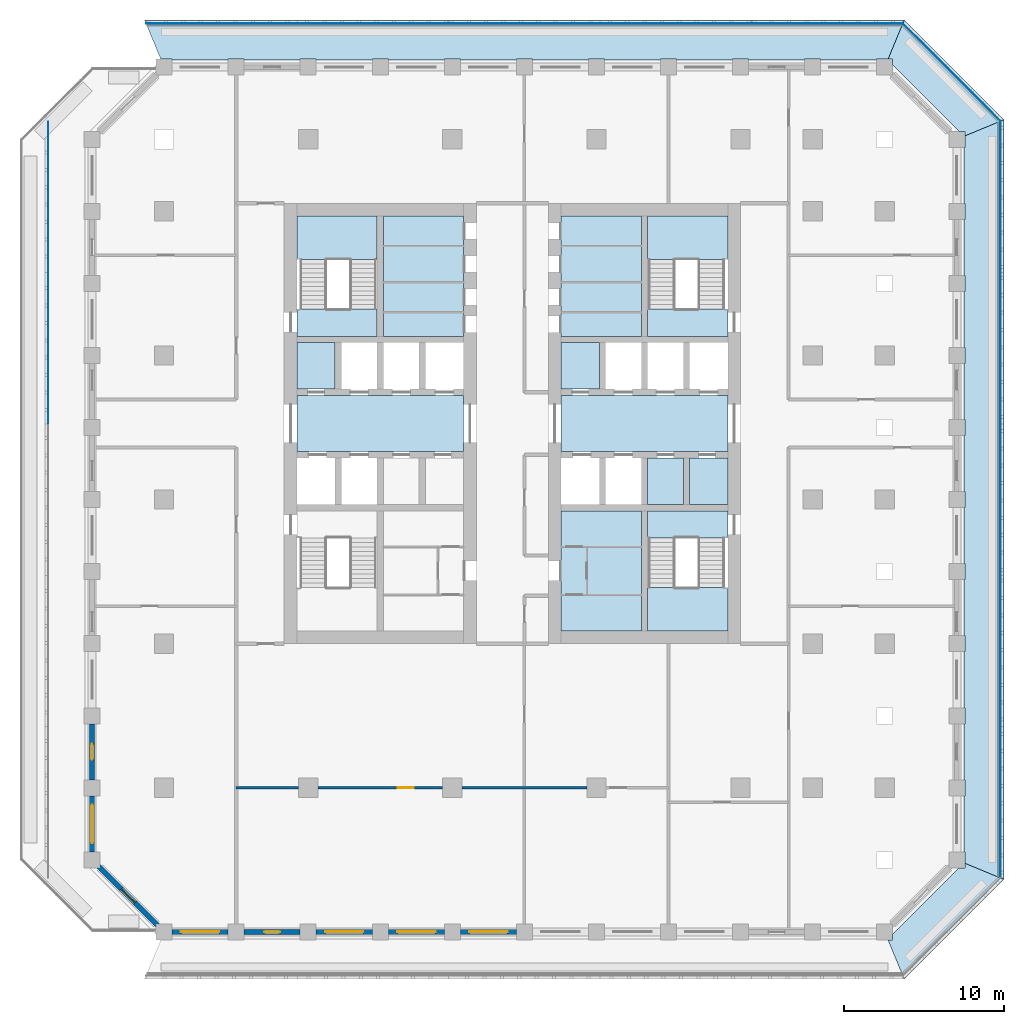
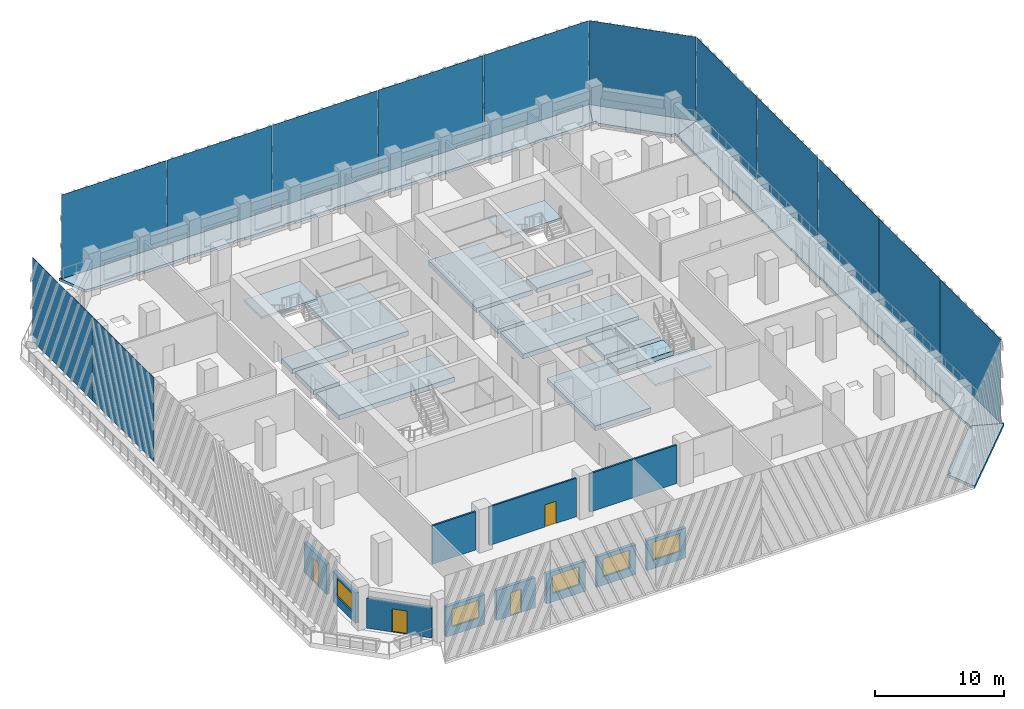
# One storey, part 2 of 16: 19 slabs, 13 plates, 11 walls, 5 windows, 4 doors, 9 openings, 3 elements without a shape of their own.
"""IFC4 building model written with IfcOpenShell, lengths in metres."""

from ifc_helpers import new_model, si_unit, direction, frame, frame_2d, origin, origin_2d, place, context, subcontext, project, spatial, polyline, rectangle, outline, extrude, material, layer, layer_set, type_object, element, fill, aggregate, save


model = new_model("IFC4")

# Units and contexts
model_context = context("Model", 3, precision=1e-05, world=origin(), true_north=direction((0.0, 1.0)))
body_context = subcontext(model_context, "Body", "Model", "MODEL_VIEW")
ifc_project = project(units=[si_unit("LENGTHUNIT", "METRE"), si_unit("AREAUNIT", "SQUARE_METRE"), si_unit("VOLUMEUNIT", "CUBIC_METRE"), si_unit("PLANEANGLEUNIT", "RADIAN"), si_unit("MASSUNIT", "GRAM", prefix="KILO")], contexts=[model_context])

# Site, building, storey
site_placement = place(None, origin())
site = spatial("IfcSite", under=ifc_project, at=site_placement, CompositionType="ELEMENT")
building_placement = place(site_placement, origin())
building = spatial("IfcBuilding", under=site, at=building_placement, Name="Corbel Stack Research Tower", CompositionType="ELEMENT")
storey_placement = place(building_placement, frame((0.0, 0.0, 191.5)))
storey = spatial("IfcBuildingStorey", under=building, at=storey_placement, Name="L43", CompositionType="ELEMENT", Elevation=191.5)

# Plates
ifc_material_1 = material(Name="Fritted glass", Category="glass")
ifc_layer_1 = layer(ifc_material_1, 0.02490234375)
ifc_layer_set_1 = layer_set([ifc_layer_1], Name="Fritted glass")
plate_type = type_object("IfcPlateType", Name="Fritted glass panel 25", PredefinedType="SHEET", material=ifc_layer_set_1)
for number, where, z_axis, x_axis, name in (
    (1, (34.237548828125, -18.911376953125, 0.0), (0.0, 0.0, 1.0), (0.0, 1.0, 0.0), "Fritted glass L43 E1"),
    (2, (34.237548828125, -9.45556640625, 0.0), (0.0, 0.0, 1.0), (0.0, 1.0, 0.0), "Fritted glass L43 E2"),
    (3, (34.237548828125, 0.0, 0.0), (0.0, 0.0, 1.0), (0.0, 1.0, 0.0), "Fritted glass L43 E3"),
    (4, (34.237548828125, 9.45556640625, 0.0), (0.0, 0.0, 1.0), (0.0, 1.0, 0.0), "Fritted glass L43 E4"),
    (5, (34.237548828125, 18.911376953125, 0.0), (0.0, 0.0, 1.0), (0.0, 1.0, 0.0), "Fritted glass L43 E5"),
):
    element("IfcPlate", number, at=place(storey_placement, frame(where, z_axis=z_axis, x_axis=x_axis)), inside=storey, type_object=plate_type, Name=name, PredefinedType="SHEET", context=body_context, shape_type="SweptSolid", body=[
        extrude(rectangle(XDim=9.3955078125, YDim=0.02490234375, at=origin_2d()), origin(), (0.0, 0.0, 1.0), 7.949951171875),
    ])
plate_placement = place(storey_placement, frame((31.185791015625, 26.685791015625, 0.0), z_axis=(0.0, 0.0, 1.0), x_axis=(-0.707106781187, 0.707106781187, 0.0)))
element("IfcPlate", 6, at=plate_placement, inside=storey, type_object=plate_type, Name="Fritted glass L43 NE1", PredefinedType="SHEET", context=body_context, shape_type="SweptSolid", body=[
    extrude(rectangle(XDim=8.58203125, YDim=0.02490234375, at=origin_2d()), origin(), (0.0, 0.0, 1.0), 7.949951171875),
])
for number, where, z_axis, x_axis, name in (
    (7, (23.411376953125, 29.737548828125, 0.0), (0.0, 0.0, 1.0), (-1.0, 0.0, 0.0), "Fritted glass L43 N1"),
    (8, (13.95556640625, 29.737548828125, 0.0), (0.0, 0.0, 1.0), (-1.0, 0.0, 0.0), "Fritted glass L43 N2"),
    (9, (4.5, 29.737548828125, 0.0), (0.0, 0.0, 1.0), (-1.0, 0.0, 0.0), "Fritted glass L43 N3"),
    (10, (-4.95556640625, 29.737548828125, 0.0), (0.0, 0.0, 1.0), (-1.0, 0.0, 0.0), "Fritted glass L43 N4"),
    (11, (-14.411376953125, 29.737548828125, 0.0), (0.0, 0.0, 1.0), (-1.0, 0.0, 0.0), "Fritted glass L43 N5"),
    (12, (-25.237548828125, 18.911376953125, 0.0), (0.0, 0.0, 1.0), (0.0, -1.0, 0.0), "Fritted glass L43 W1"),
    (13, (-25.237548828125, 9.45556640625, 0.0), (0.0, 0.0, 1.0), (0.0, -1.0, 0.0), "Fritted glass L43 W2"),
):
    element("IfcPlate", number, at=place(storey_placement, frame(where, z_axis=z_axis, x_axis=x_axis)), inside=storey, type_object=plate_type, Name=name, PredefinedType="SHEET", context=body_context, shape_type="SweptSolid", body=[
        extrude(rectangle(XDim=9.3955078125, YDim=0.02490234375, at=origin_2d()), origin(), (0.0, 0.0, 1.0), 7.949951171875),
    ])

# Slabs
ifc_material_2 = material(Name="Concrete C45/55", Category="concrete")
ifc_layer_2 = layer(ifc_material_2, 0.25)
ifc_layer_set_2 = layer_set([ifc_layer_2], Name="Concrete C45/55")
slab_type_1 = type_object("IfcSlabType", Name="PT balcony slab 250 C45/55", PredefinedType="FLOOR", material=ifc_layer_set_2)
slab_1_placement = place(storey_placement, frame((0.0, 0.0, -0.25)))
element("IfcSlab", 14, at=slab_1_placement, inside=storey, type_object=slab_type_1, Name="Loggia slab L43 SE", PredefinedType="FLOOR", context=body_context, shape_type="SweptSolid", body=[
    extrude(outline(polyline([(32.0, -22.70703125), (32.0, -23.0), (31.636474609375, -23.0), (27.5, -27.136474609375), (27.5, -27.5), (27.20703125, -27.5), (28.221923828125, -29.949951171875), (34.449951171875, -23.721923828125), (32.0, -22.70703125)])), origin(), (0.0, 0.0, 1.0), 0.25),
])
slab_2_placement = place(storey_placement, frame((0.0, 0.0, -0.25)))
element("IfcSlab", 15, at=slab_2_placement, inside=storey, type_object=slab_type_1, Name="Loggia slab L43 E", PredefinedType="FLOOR", context=body_context, shape_type="SweptSolid", body=[
    extrude(outline(polyline([(32.0, 22.70703125), (32.0, 22.0), (31.949951171875, 22.0), (31.949951171875, 18.5), (32.0, 18.5), (32.0, 17.5), (31.949951171875, 17.5), (31.949951171875, 14.0), (32.0, 14.0), (32.0, 13.0), (31.949951171875, 13.0), (31.949951171875, 9.5), (32.0, 9.5), (32.0, 8.5), (31.949951171875, 8.5), (31.949951171875, 5.0), (32.0, 5.0), (32.0, 4.0), (31.949951171875, 4.0), (31.949951171875, 0.5), (32.0, 0.5), (32.0, -0.5), (31.949951171875, -0.5), (31.949951171875, -4.0), (32.0, -4.0), (32.0, -5.0), (31.949951171875, -5.0), (31.949951171875, -8.5), (32.0, -8.5), (32.0, -9.5), (31.949951171875, -9.5), (31.949951171875, -13.0), (32.0, -13.0), (32.0, -14.0), (31.949951171875, -14.0), (31.949951171875, -17.5), (32.0, -17.5), (32.0, -18.5), (31.949951171875, -18.5), (31.949951171875, -22.0), (32.0, -22.0), (32.0, -22.70703125), (34.449951171875, -23.721923828125), (34.449951171875, 23.721923828125), (32.0, 22.70703125)])), origin(), (0.0, 0.0, 1.0), 0.25),
])
slab_3_placement = place(storey_placement, frame((0.0, 0.0, -0.25)))
element("IfcSlab", 16, at=slab_3_placement, inside=storey, type_object=slab_type_1, Name="Loggia slab L43 NE", PredefinedType="FLOOR", context=body_context, shape_type="SweptSolid", body=[
    extrude(outline(polyline([(27.20703125, 27.5), (27.5, 27.5), (27.5, 27.136474609375), (31.636474609375, 23.0), (32.0, 23.0), (32.0, 22.70703125), (34.449951171875, 23.721923828125), (28.221923828125, 29.949951171875), (27.20703125, 27.5)])), origin(), (0.0, 0.0, 1.0), 0.25),
])
slab_4_placement = place(storey_placement, frame((0.0, 0.0, -0.25)))
element("IfcSlab", 17, at=slab_4_placement, inside=storey, type_object=slab_type_1, Name="Loggia slab L43 N", PredefinedType="FLOOR", context=body_context, shape_type="SweptSolid", body=[
    extrude(outline(polyline([(-18.20703125, 27.5), (-17.5, 27.5), (-17.5, 27.449951171875), (-14.0, 27.449951171875), (-14.0, 27.5), (-13.0, 27.5), (-13.0, 27.449951171875), (-9.5, 27.449951171875), (-9.5, 27.5), (-8.5, 27.5), (-8.5, 27.449951171875), (-5.0, 27.449951171875), (-5.0, 27.5), (-4.0, 27.5), (-4.0, 27.449951171875), (-0.5, 27.449951171875), (-0.5, 27.5), (0.5, 27.5), (0.5, 27.449951171875), (4.0, 27.449951171875), (4.0, 27.5), (5.0, 27.5), (5.0, 27.449951171875), (8.5, 27.449951171875), (8.5, 27.5), (9.5, 27.5), (9.5, 27.449951171875), (13.0, 27.449951171875), (13.0, 27.5), (14.0, 27.5), (14.0, 27.449951171875), (17.5, 27.449951171875), (17.5, 27.5), (18.5, 27.5), (18.5, 27.449951171875), (22.0, 27.449951171875), (22.0, 27.5), (23.0, 27.5), (23.0, 27.449951171875), (26.5, 27.449951171875), (26.5, 27.5), (27.20703125, 27.5), (28.221923828125, 29.949951171875), (-19.221923828125, 29.949951171875), (-18.20703125, 27.5)])), origin(), (0.0, 0.0, 1.0), 0.25),
])
ifc_material_3 = material(Name="Concrete C45/55", Category="concrete")
ifc_layer_3 = layer(ifc_material_3, 0.449951171875)
ifc_layer_set_3 = layer_set([ifc_layer_3], Name="Concrete C45/55")
slab_type_2 = type_object("IfcSlabType", Name="PT-450", PredefinedType="FLOOR", material=ifc_layer_set_3)
slab_5_placement = place(storey_placement, frame((0.0, 0.0, -0.449951171875)))
element("IfcSlab", 18, at=slab_5_placement, inside=storey, type_object=slab_type_2, Name="West core floor L43", PredefinedType="FLOOR", context=body_context, shape_type="SweptSolid", body=[
    extrude(outline(polyline([(0.699951171875, 6.5), (-9.699951171875, 6.5), (-9.699951171875, 3.0), (0.699951171875, 3.0), (0.699951171875, 6.5)])), origin(), (0.0, 0.0, 1.0), 0.449951171875),
])
slab_6_placement = place(storey_placement, frame((0.0, 0.0, -0.449951171875)))
element("IfcSlab", 19, at=slab_6_placement, inside=storey, type_object=slab_type_2, Name="West core floor L43", PredefinedType="FLOOR", context=body_context, shape_type="SweptSolid", body=[
    extrude(outline(polyline([(-9.699951171875, 6.89990234375), (-7.324951171875, 6.89990234375), (-7.324951171875, 9.800048828125), (-9.699951171875, 9.800048828125), (-9.699951171875, 6.89990234375)])), origin(), (0.0, 0.0, 1.0), 0.449951171875),
])
slab_7_placement = place(storey_placement, frame((0.0, 0.0, -0.449951171875)))
element("IfcSlab", 20, at=slab_7_placement, inside=storey, type_object=slab_type_2, Name="West core floor L43", PredefinedType="FLOOR", context=body_context, shape_type="SweptSolid", body=[
    extrude(outline(polyline([(0.699951171875, 17.699951171875), (-4.300048828125, 17.699951171875), (-4.300048828125, 10.199951171875), (0.699951171875, 10.199951171875), (0.699951171875, 17.699951171875)])), origin(), (0.0, 0.0, 1.0), 0.449951171875),
])
slab_8_placement = place(storey_placement, frame((0.0, 0.0, -0.449951171875)))
element("IfcSlab", 21, at=slab_8_placement, inside=storey, type_object=slab_type_2, Name="East core floor L43", PredefinedType="FLOOR", context=body_context, shape_type="SweptSolid", body=[
    extrude(outline(polyline([(6.800048828125, -0.699951171875), (6.800048828125, -8.199951171875), (11.800048828125, -8.199951171875), (11.800048828125, -0.699951171875), (6.800048828125, -0.699951171875)])), origin(), (0.0, 0.0, 1.0), 0.449951171875),
])
slab_9_placement = place(storey_placement, frame((0.0, 0.0, -0.449951171875)))
element("IfcSlab", 22, at=slab_9_placement, inside=storey, type_object=slab_type_2, Name="East core floor L43", PredefinedType="FLOOR", context=body_context, shape_type="SweptSolid", body=[
    extrude(outline(polyline([(17.199951171875, 6.5), (6.800048828125, 6.5), (6.800048828125, 3.0), (17.199951171875, 3.0), (17.199951171875, 6.5)])), origin(), (0.0, 0.0, 1.0), 0.449951171875),
])
slab_10_placement = place(storey_placement, frame((0.0, 0.0, -0.449951171875)))
element("IfcSlab", 23, at=slab_10_placement, inside=storey, type_object=slab_type_2, Name="East core floor L43", PredefinedType="FLOOR", context=body_context, shape_type="SweptSolid", body=[
    extrude(outline(polyline([(6.800048828125, 6.89990234375), (9.175048828125, 6.89990234375), (9.175048828125, 9.800048828125), (6.800048828125, 9.800048828125), (6.800048828125, 6.89990234375)])), origin(), (0.0, 0.0, 1.0), 0.449951171875),
])
slab_11_placement = place(storey_placement, frame((0.0, 0.0, -0.449951171875)))
element("IfcSlab", 24, at=slab_11_placement, inside=storey, type_object=slab_type_2, Name="East core floor L43", PredefinedType="FLOOR", context=body_context, shape_type="SweptSolid", body=[
    extrude(outline(polyline([(6.800048828125, 17.699951171875), (6.800048828125, 10.199951171875), (11.800048828125, 10.199951171875), (11.800048828125, 17.699951171875), (6.800048828125, 17.699951171875)])), origin(), (0.0, 0.0, 1.0), 0.449951171875),
])
slab_12_placement = place(storey_placement, frame((0.0, 0.0, -0.449951171875)))
element("IfcSlab", 25, at=slab_12_placement, inside=storey, type_object=slab_type_2, Name="East core floor L43", PredefinedType="FLOOR", context=body_context, shape_type="SweptSolid", body=[
    extrude(outline(polyline([(14.425048828125, -0.300048828125), (14.425048828125, 2.60009765625), (12.199951171875, 2.60009765625), (12.199951171875, -0.300048828125), (14.425048828125, -0.300048828125)])), origin(), (0.0, 0.0, 1.0), 0.449951171875),
])
slab_13_placement = place(storey_placement, frame((0.0, 0.0, -0.449951171875)))
element("IfcSlab", 26, at=slab_13_placement, inside=storey, type_object=slab_type_2, Name="East core floor L43", PredefinedType="FLOOR", context=body_context, shape_type="SweptSolid", body=[
    extrude(outline(polyline([(17.199951171875, -0.300048828125), (17.199951171875, 2.60009765625), (14.824951171875, 2.60009765625), (14.824951171875, -0.300048828125), (17.199951171875, -0.300048828125)])), origin(), (0.0, 0.0, 1.0), 0.449951171875),
])
slab_14_placement = place(storey_placement, frame((0.0, 0.0, -0.449951171875)))
element("IfcSlab", 27, at=slab_14_placement, inside=storey, type_object=slab_type_2, Name="Stair floor landing ST-W2", PredefinedType="FLOOR", context=body_context, shape_type="SweptSolid", body=[
    extrude(outline(polyline([(-9.699951171875, 10.199951171875), (-4.699951171875, 10.199951171875), (-4.699951171875, 11.89990234375), (-9.699951171875, 11.89990234375), (-9.699951171875, 10.199951171875)])), origin(), (0.0, 0.0, 1.0), 0.449951171875),
])
slab_15_placement = place(storey_placement, frame((0.0, 0.0, -0.449951171875)))
element("IfcSlab", 28, at=slab_15_placement, inside=storey, type_object=slab_type_2, Name="Stair floor landing ST-E1", PredefinedType="FLOOR", context=body_context, shape_type="SweptSolid", body=[
    extrude(outline(polyline([(12.199951171875, -2.39990234375), (17.199951171875, -2.39990234375), (17.199951171875, -0.699951171875), (12.199951171875, -0.699951171875), (12.199951171875, -2.39990234375)])), origin(), (0.0, 0.0, 1.0), 0.449951171875),
])
slab_16_placement = place(storey_placement, frame((0.0, 0.0, -0.449951171875)))
element("IfcSlab", 29, at=slab_16_placement, inside=storey, type_object=slab_type_2, Name="Stair floor landing ST-E2", PredefinedType="FLOOR", context=body_context, shape_type="SweptSolid", body=[
    extrude(outline(polyline([(12.199951171875, 10.199951171875), (17.199951171875, 10.199951171875), (17.199951171875, 11.89990234375), (12.199951171875, 11.89990234375), (12.199951171875, 10.199951171875)])), origin(), (0.0, 0.0, 1.0), 0.449951171875),
])

# Stair, slab
ifc_material_4 = material(Name="Concrete C40/50", Category="concrete")
stair_type = type_object("IfcStairType", Name="Exit stair 24 risers", PredefinedType="HALF_TURN_STAIR", material=ifc_material_4)
stair_1_placement = place(storey_placement, origin())
stair_1 = element("IfcStair", 30, at=stair_1_placement, inside=storey, type_object=stair_type, Name="L43 Exit stair ST-W2", PredefinedType="HALF_TURN_STAIR")
ifc_material_5 = material(Name="Concrete C40/50", Category="concrete")
ifc_layer_4 = layer(ifc_material_5, 0.199951171875)
ifc_layer_set_4 = layer_set([ifc_layer_4], Name="Concrete C40/50")
slab_type_3 = type_object("IfcSlabType", Name="Stair landing 200 C40/50", PredefinedType="LANDING", material=ifc_layer_set_4)
slab_17_placement = place(storey_placement, frame((0.0, 0.0, 1.85009765625)))
slab_17 = element("IfcSlab", 31, at=slab_17_placement, type_object=slab_type_3, Name="ST-W2 landing 1", PredefinedType="LANDING", context=body_context, shape_type="SweptSolid", body=[
    extrude(outline(polyline([(-9.699951171875, 14.97998046875), (-9.699951171875, 17.699951171875), (-4.699951171875, 17.699951171875), (-4.699951171875, 14.97998046875), (-9.699951171875, 14.97998046875)])), origin(), (0.0, 0.0, 1.0), 0.199951171875),
])
aggregate(stair_1, [slab_17])

stair_2_placement = place(storey_placement, origin())
stair_2 = element("IfcStair", 32, at=stair_2_placement, inside=storey, type_object=stair_type, Name="L43 Exit stair ST-E1", PredefinedType="HALF_TURN_STAIR")
slab_18_placement = place(storey_placement, frame((0.0, 0.0, 1.85009765625)))
slab_18 = element("IfcSlab", 33, at=slab_18_placement, type_object=slab_type_3, Name="ST-E1 landing 1", PredefinedType="LANDING", context=body_context, shape_type="SweptSolid", body=[
    extrude(outline(polyline([(12.199951171875, -8.199951171875), (12.199951171875, -5.47998046875), (17.199951171875, -5.47998046875), (17.199951171875, -8.199951171875), (12.199951171875, -8.199951171875)])), origin(), (0.0, 0.0, 1.0), 0.199951171875),
])
aggregate(stair_2, [slab_18])

stair_3_placement = place(storey_placement, origin())
stair_3 = element("IfcStair", 34, at=stair_3_placement, inside=storey, type_object=stair_type, Name="L43 Exit stair ST-E2", PredefinedType="HALF_TURN_STAIR")
slab_19_placement = place(storey_placement, frame((0.0, 0.0, 1.85009765625)))
slab_19 = element("IfcSlab", 35, at=slab_19_placement, type_object=slab_type_3, Name="ST-E2 landing 1", PredefinedType="LANDING", context=body_context, shape_type="SweptSolid", body=[
    extrude(outline(polyline([(12.199951171875, 14.97998046875), (12.199951171875, 17.699951171875), (17.199951171875, 17.699951171875), (17.199951171875, 14.97998046875), (12.199951171875, 14.97998046875)])), origin(), (0.0, 0.0, 1.0), 0.199951171875),
])
aggregate(stair_3, [slab_19])

# Wall
ifc_material_6 = material(Name="Gypsum board partition on steel studs", Category="steel")
ifc_layer_5 = layer(ifc_material_6, 0.14990234375)
ifc_layer_set_5 = layer_set([ifc_layer_5], Name="Gypsum board partition on steel studs")
wall_type_1 = type_object("IfcWallType", Name="Partition 150", PredefinedType="PARTITIONING", material=ifc_layer_set_5)
wall_1_placement = place(storey_placement, frame((-13.5, -18.0, 0.0), z_axis=(0.0, 0.0, 1.0), x_axis=(1.0, 0.0, 0.0)))
element("IfcWall", 36, at=wall_1_placement, inside=storey, type_object=wall_type_1, Name="Partition L43-015", PredefinedType="PARTITIONING", context=body_context, shape_type="SweptSolid", body=[
    extrude(rectangle(XDim=3.89990234375, YDim=0.14990234375, at=frame_2d((1.949951171875, 0.0))), origin(), (0.0, 0.0, 1.0), 3.64990234375),
])

# Wall, opening, door
wall_2_placement = place(storey_placement, frame((-0.60009765625, -18.0, 0.0), z_axis=(0.0, 0.0, 1.0), x_axis=(-1.0, 0.0, 0.0)))
wall_2 = element("IfcWall", 37, at=wall_2_placement, inside=storey, type_object=wall_type_1, Name="Partition L43-016", PredefinedType="PARTITIONING", context=body_context, shape_type="SweptSolid", body=[
    extrude(rectangle(XDim=7.7998046875, YDim=0.14990234375, at=frame_2d((3.89990234375, 0.0))), origin(), (0.0, 0.0, 1.0), 3.64990234375),
])
opening_1_placement = place(wall_2_placement, frame((1.800048828125, 0.0, 0.0)))
opening_1 = element("IfcOpeningElement", 38, at=opening_1_placement, cuts=wall_2, Name="Opening B6V0H-002", PredefinedType="OPENING", context=body_context, shape_type="SweptSolid", body=[
    extrude(rectangle(XDim=1.0, YDim=2.10009765625, at=frame_2d((0.5, 1.050048828125))), frame((0.0, 0.0849609375, 0.0), z_axis=(0.0, -1.0, 0.0), x_axis=(1.0, 0.0, 0.0)), (0.0, 0.0, 1.0), 0.169921875),
])
ifc_material_7 = material(Name="Painted timber door", Category="wood")
door_type_1 = type_object("IfcDoorType", Name="Single door 1000 x 2100", OperationType="NOTDEFINED", PredefinedType="DOOR", material=ifc_material_7)
door_1_placement = place(opening_1_placement, origin())
door_1 = element("IfcDoor", 39, at=door_1_placement, inside=storey, type_object=door_type_1, Name="Door B6V0H-002", OperationType="SINGLE_SWING_LEFT", OverallHeight=2.10009765625, OverallWidth=1.0, PredefinedType="DOOR", context=body_context, shape_type="SweptSolid", body=[
    extrude(rectangle(XDim=1.0, YDim=2.10009765625, at=frame_2d((0.5, 1.050048828125))), frame((0.0, 0.02490234375, 0.0), z_axis=(0.0, -1.0, 0.0), x_axis=(1.0, 0.0, 0.0)), (0.0, 0.0, 1.0), 0.050048828125),
])
fill(opening_1, door_1)

# Wall
wall_3_placement = place(storey_placement, frame((0.60009765625, -18.0, 0.0), z_axis=(0.0, 0.0, 1.0), x_axis=(1.0, 0.0, 0.0)))
element("IfcWall", 40, at=wall_3_placement, inside=storey, type_object=wall_type_1, Name="Partition L43-017", PredefinedType="PARTITIONING", context=body_context, shape_type="SweptSolid", body=[
    extrude(rectangle(XDim=7.7998046875, YDim=0.14990234375, at=frame_2d((3.89990234375, 0.0))), origin(), (0.0, 0.0, 1.0), 3.64990234375),
])

# Wall, opening, window
ifc_material_8 = material(Name="Concrete C45/55", Category="concrete")
ifc_layer_6 = layer(ifc_material_8, 0.300048828125)
ifc_layer_set_6 = layer_set([ifc_layer_6], Name="Concrete C45/55")
wall_type_2 = type_object("IfcWallType", Name="Terracotta-faced concrete wall 300", PredefinedType="SOLIDWALL", material=ifc_layer_set_6)
wall_4_placement = place(storey_placement, frame((-14.0, -27.0, 0.0), z_axis=(0.0, 0.0, 1.0), x_axis=(-1.0, 0.0, 0.0)))
wall_4 = element("IfcWall", 41, at=wall_4_placement, inside=storey, type_object=wall_type_2, Name="Facade wall L43 S01", PredefinedType="SOLIDWALL", context=body_context, shape_type="SweptSolid", body=[
    extrude(rectangle(XDim=3.5, YDim=0.300048828125, at=frame_2d((1.75, 0.0))), origin(), (0.0, 0.0, 1.0), 2.85009765625),
])
opening_2_placement = place(wall_4_placement, frame((0.550048828125, 0.0, 0.800048828125)))
opening_2 = element("IfcOpeningElement", 42, at=opening_2_placement, cuts=wall_4, Name="Opening W1", PredefinedType="OPENING", context=body_context, shape_type="SweptSolid", body=[
    extrude(rectangle(XDim=2.39990234375, YDim=1.699951171875, at=frame_2d((1.199951171875, 0.85009765625))), frame((0.0, 0.159912109375, 0.0), z_axis=(0.0, -1.0, 0.0), x_axis=(1.0, 0.0, 0.0)), (0.0, 0.0, 1.0), 0.320068359375),
])
ifc_material_9 = material(Name="Aluminium frame, clear double glazing", Category="aluminium")
window_type = type_object("IfcWindowType", Name="Window W1 2400 x 1700", PartitioningType="SINGLE_PANEL", PredefinedType="WINDOW", material=ifc_material_9)
window_1_placement = place(opening_2_placement, origin())
window_1 = element("IfcWindow", 43, at=window_1_placement, inside=storey, type_object=window_type, Name="Window W1 L43 S01", OverallHeight=1.699951171875, OverallWidth=2.39990234375, PartitioningType="SINGLE_PANEL", PredefinedType="WINDOW", context=body_context, shape_type="SweptSolid", body=[
    extrude(rectangle(XDim=2.39990234375, YDim=1.699951171875, at=frame_2d((1.199951171875, 0.85009765625))), frame((0.0, 0.030029296875, 0.0), z_axis=(0.0, -1.0, 0.0), x_axis=(1.0, 0.0, 0.0)), (0.0, 0.0, 1.0), 0.06005859375),
])
fill(opening_2, window_1)

# Wall, opening, door
wall_5_placement = place(storey_placement, frame((-9.5, -27.0, 0.0), z_axis=(0.0, 0.0, 1.0), x_axis=(-1.0, 0.0, 0.0)))
wall_5 = element("IfcWall", 44, at=wall_5_placement, inside=storey, type_object=wall_type_2, Name="Facade wall L43 S02", PredefinedType="SOLIDWALL", context=body_context, shape_type="SweptSolid", body=[
    extrude(rectangle(XDim=3.5, YDim=0.300048828125, at=frame_2d((1.75, 0.0))), origin(), (0.0, 0.0, 1.0), 2.85009765625),
])
opening_3_placement = place(wall_5_placement, frame((1.25, 0.0, 0.0)))
opening_3 = element("IfcOpeningElement", 45, at=opening_3_placement, cuts=wall_5, Name="Opening L43-B01", PredefinedType="OPENING", context=body_context, shape_type="SweptSolid", body=[
    extrude(rectangle(XDim=1.0, YDim=2.199951171875, at=frame_2d((0.5, 1.10009765625))), frame((0.0, 0.159912109375, 0.0), z_axis=(0.0, -1.0, 0.0), x_axis=(1.0, 0.0, 0.0)), (0.0, 0.0, 1.0), 0.320068359375),
])
ifc_material_10 = material(Name="Aluminium frame, clear double glazing", Category="aluminium")
door_type_2 = type_object("IfcDoorType", Name="Balcony door BD1 1000 x 2200", OperationType="NOTDEFINED", PredefinedType="DOOR", material=ifc_material_10)
door_2_placement = place(opening_3_placement, origin())
door_2 = element("IfcDoor", 46, at=door_2_placement, inside=storey, type_object=door_type_2, Name="Balcony door L43-B01", OperationType="SINGLE_SWING_LEFT", OverallHeight=2.199951171875, OverallWidth=1.0, PredefinedType="DOOR", context=body_context, shape_type="SweptSolid", body=[
    extrude(rectangle(XDim=1.0, YDim=2.199951171875, at=frame_2d((0.5, 1.10009765625))), frame((0.0, 0.02490234375, 0.0), z_axis=(0.0, -1.0, 0.0), x_axis=(1.0, 0.0, 0.0)), (0.0, 0.0, 1.0), 0.050048828125),
])
fill(opening_3, door_2)

# Wall, opening, window
wall_6_placement = place(storey_placement, frame((-5.0, -27.0, 0.0), z_axis=(0.0, 0.0, 1.0), x_axis=(-1.0, 0.0, 0.0)))
wall_6 = element("IfcWall", 47, at=wall_6_placement, inside=storey, type_object=wall_type_2, Name="Facade wall L43 S03", PredefinedType="SOLIDWALL", context=body_context, shape_type="SweptSolid", body=[
    extrude(rectangle(XDim=3.5, YDim=0.300048828125, at=frame_2d((1.75, 0.0))), origin(), (0.0, 0.0, 1.0), 2.85009765625),
])
opening_4_placement = place(wall_6_placement, frame((0.550048828125, 0.0, 0.800048828125)))
opening_4 = element("IfcOpeningElement", 48, at=opening_4_placement, cuts=wall_6, Name="Opening W1", PredefinedType="OPENING", context=body_context, shape_type="SweptSolid", body=[
    extrude(rectangle(XDim=2.39990234375, YDim=1.699951171875, at=frame_2d((1.199951171875, 0.85009765625))), frame((0.0, 0.159912109375, 0.0), z_axis=(0.0, -1.0, 0.0), x_axis=(1.0, 0.0, 0.0)), (0.0, 0.0, 1.0), 0.320068359375),
])
window_2_placement = place(opening_4_placement, origin())
window_2 = element("IfcWindow", 49, at=window_2_placement, inside=storey, type_object=window_type, Name="Window W1 L43 S03", OverallHeight=1.699951171875, OverallWidth=2.39990234375, PartitioningType="SINGLE_PANEL", PredefinedType="WINDOW", context=body_context, shape_type="SweptSolid", body=[
    extrude(rectangle(XDim=2.39990234375, YDim=1.699951171875, at=frame_2d((1.199951171875, 0.85009765625))), frame((0.0, 0.030029296875, 0.0), z_axis=(0.0, -1.0, 0.0), x_axis=(1.0, 0.0, 0.0)), (0.0, 0.0, 1.0), 0.06005859375),
])
fill(opening_4, window_2)

wall_7_placement = place(storey_placement, frame((-0.5, -27.0, 0.0), z_axis=(0.0, 0.0, 1.0), x_axis=(-1.0, 0.0, 0.0)))
wall_7 = element("IfcWall", 50, at=wall_7_placement, inside=storey, type_object=wall_type_2, Name="Facade wall L43 S04", PredefinedType="SOLIDWALL", context=body_context, shape_type="SweptSolid", body=[
    extrude(rectangle(XDim=3.5, YDim=0.300048828125, at=frame_2d((1.75, 0.0))), origin(), (0.0, 0.0, 1.0), 2.85009765625),
])
opening_5_placement = place(wall_7_placement, frame((0.550048828125, 0.0, 0.800048828125)))
opening_5 = element("IfcOpeningElement", 51, at=opening_5_placement, cuts=wall_7, Name="Opening W1", PredefinedType="OPENING", context=body_context, shape_type="SweptSolid", body=[
    extrude(rectangle(XDim=2.39990234375, YDim=1.699951171875, at=frame_2d((1.199951171875, 0.85009765625))), frame((0.0, 0.159912109375, 0.0), z_axis=(0.0, -1.0, 0.0), x_axis=(1.0, 0.0, 0.0)), (0.0, 0.0, 1.0), 0.320068359375),
])
window_3_placement = place(opening_5_placement, origin())
window_3 = element("IfcWindow", 52, at=window_3_placement, inside=storey, type_object=window_type, Name="Window W1 L43 S04", OverallHeight=1.699951171875, OverallWidth=2.39990234375, PartitioningType="SINGLE_PANEL", PredefinedType="WINDOW", context=body_context, shape_type="SweptSolid", body=[
    extrude(rectangle(XDim=2.39990234375, YDim=1.699951171875, at=frame_2d((1.199951171875, 0.85009765625))), frame((0.0, 0.030029296875, 0.0), z_axis=(0.0, -1.0, 0.0), x_axis=(1.0, 0.0, 0.0)), (0.0, 0.0, 1.0), 0.06005859375),
])
fill(opening_5, window_3)

wall_8_placement = place(storey_placement, frame((4.0, -27.0, 0.0), z_axis=(0.0, 0.0, 1.0), x_axis=(-1.0, 0.0, 0.0)))
wall_8 = element("IfcWall", 53, at=wall_8_placement, inside=storey, type_object=wall_type_2, Name="Facade wall L43 S05", PredefinedType="SOLIDWALL", context=body_context, shape_type="SweptSolid", body=[
    extrude(rectangle(XDim=3.5, YDim=0.300048828125, at=frame_2d((1.75, 0.0))), origin(), (0.0, 0.0, 1.0), 2.85009765625),
])
opening_6_placement = place(wall_8_placement, frame((0.550048828125, 0.0, 0.800048828125)))
opening_6 = element("IfcOpeningElement", 54, at=opening_6_placement, cuts=wall_8, Name="Opening W1", PredefinedType="OPENING", context=body_context, shape_type="SweptSolid", body=[
    extrude(rectangle(XDim=2.39990234375, YDim=1.699951171875, at=frame_2d((1.199951171875, 0.85009765625))), frame((0.0, 0.159912109375, 0.0), z_axis=(0.0, -1.0, 0.0), x_axis=(1.0, 0.0, 0.0)), (0.0, 0.0, 1.0), 0.320068359375),
])
window_4_placement = place(opening_6_placement, origin())
window_4 = element("IfcWindow", 55, at=window_4_placement, inside=storey, type_object=window_type, Name="Window W1 L43 S05", OverallHeight=1.699951171875, OverallWidth=2.39990234375, PartitioningType="SINGLE_PANEL", PredefinedType="WINDOW", context=body_context, shape_type="SweptSolid", body=[
    extrude(rectangle(XDim=2.39990234375, YDim=1.699951171875, at=frame_2d((1.199951171875, 0.85009765625))), frame((0.0, 0.030029296875, 0.0), z_axis=(0.0, -1.0, 0.0), x_axis=(1.0, 0.0, 0.0)), (0.0, 0.0, 1.0), 0.06005859375),
])
fill(opening_6, window_4)

# Wall, opening, door
wall_9_placement = place(storey_placement, frame((-22.5, -17.5, 0.0), z_axis=(0.0, 0.0, 1.0), x_axis=(0.0, 1.0, 0.0)))
wall_9 = element("IfcWall", 56, at=wall_9_placement, inside=storey, type_object=wall_type_2, Name="Facade wall L43 W09", PredefinedType="SOLIDWALL", context=body_context, shape_type="SweptSolid", body=[
    extrude(rectangle(XDim=3.5, YDim=0.300048828125, at=frame_2d((1.75, 0.0))), origin(), (0.0, 0.0, 1.0), 2.85009765625),
])
opening_7_placement = place(wall_9_placement, frame((1.25, 0.0, 0.0)))
opening_7 = element("IfcOpeningElement", 57, at=opening_7_placement, cuts=wall_9, Name="Opening L43-B11", PredefinedType="OPENING", context=body_context, shape_type="SweptSolid", body=[
    extrude(rectangle(XDim=1.0, YDim=2.199951171875, at=frame_2d((0.5, 1.10009765625))), frame((0.0, 0.159912109375, 0.0), z_axis=(0.0, -1.0, 0.0), x_axis=(1.0, 0.0, 0.0)), (0.0, 0.0, 1.0), 0.320068359375),
])
door_3_placement = place(opening_7_placement, origin())
door_3 = element("IfcDoor", 58, at=door_3_placement, inside=storey, type_object=door_type_2, Name="Balcony door L43-B11", OperationType="SINGLE_SWING_RIGHT", OverallHeight=2.199951171875, OverallWidth=1.0, PredefinedType="DOOR", context=body_context, shape_type="SweptSolid", body=[
    extrude(rectangle(XDim=1.0, YDim=2.199951171875, at=frame_2d((0.5, 1.10009765625))), frame((0.0, 0.02490234375, 0.0), z_axis=(0.0, -1.0, 0.0), x_axis=(1.0, 0.0, 0.0)), (0.0, 0.0, 1.0), 0.050048828125),
])
fill(opening_7, door_3)

# Wall, opening, window
wall_10_placement = place(storey_placement, frame((-22.5, -22.0, 0.0), z_axis=(0.0, 0.0, 1.0), x_axis=(0.0, 1.0, 0.0)))
wall_10 = element("IfcWall", 59, at=wall_10_placement, inside=storey, type_object=wall_type_2, Name="Facade wall L43 W10", PredefinedType="SOLIDWALL", context=body_context, shape_type="SweptSolid", body=[
    extrude(rectangle(XDim=3.5, YDim=0.300048828125, at=frame_2d((1.75, 0.0))), origin(), (0.0, 0.0, 1.0), 2.85009765625),
])
opening_8_placement = place(wall_10_placement, frame((0.550048828125, 0.0, 0.800048828125)))
opening_8 = element("IfcOpeningElement", 60, at=opening_8_placement, cuts=wall_10, Name="Opening W1", PredefinedType="OPENING", context=body_context, shape_type="SweptSolid", body=[
    extrude(rectangle(XDim=2.39990234375, YDim=1.699951171875, at=frame_2d((1.199951171875, 0.85009765625))), frame((0.0, 0.159912109375, 0.0), z_axis=(0.0, -1.0, 0.0), x_axis=(1.0, 0.0, 0.0)), (0.0, 0.0, 1.0), 0.320068359375),
])
window_5_placement = place(opening_8_placement, origin())
window_5 = element("IfcWindow", 61, at=window_5_placement, inside=storey, type_object=window_type, Name="Window W1 L43 W10", OverallHeight=1.699951171875, OverallWidth=2.39990234375, PartitioningType="SINGLE_PANEL", PredefinedType="WINDOW", context=body_context, shape_type="SweptSolid", body=[
    extrude(rectangle(XDim=2.39990234375, YDim=1.699951171875, at=frame_2d((1.199951171875, 0.85009765625))), frame((0.0, 0.030029296875, 0.0), z_axis=(0.0, -1.0, 0.0), x_axis=(1.0, 0.0, 0.0)), (0.0, 0.0, 1.0), 0.06005859375),
])
fill(opening_8, window_5)

# Wall, opening, door
wall_11_placement = place(storey_placement, frame((-18.393798828125, -26.606201171875, 0.0), z_axis=(0.0, 0.0, 1.0), x_axis=(-0.707106781187, 0.707106781187, 0.0)))
wall_11 = element("IfcWall", 62, at=wall_11_placement, inside=storey, type_object=wall_type_2, Name="Facade wall L43 SW01", PredefinedType="SOLIDWALL", context=body_context, shape_type="SweptSolid", body=[
    extrude(rectangle(XDim=5.250244140625, YDim=0.300048828125, at=frame_2d((2.625, 0.0))), origin(), (0.0, 0.0, 1.0), 2.85009765625),
])
opening_9_placement = place(wall_11_placement, frame((2.02490234375, 0.0, 0.0)))
opening_9 = element("IfcOpeningElement", 63, at=opening_9_placement, cuts=wall_11, Name="Opening L43-B12", PredefinedType="OPENING", context=body_context, shape_type="SweptSolid", body=[
    extrude(rectangle(XDim=1.199951171875, YDim=2.199951171875, at=frame_2d((0.60009765625, 1.10009765625))), frame((0.0, 0.159912109375, 0.0), z_axis=(0.0, -1.0, 0.0), x_axis=(1.0, 0.0, 0.0)), (0.0, 0.0, 1.0), 0.320068359375),
])
ifc_material_11 = material(Name="Aluminium frame, clear double glazing", Category="aluminium")
door_type_3 = type_object("IfcDoorType", Name="Balcony door BD2 1200 x 2200", OperationType="NOTDEFINED", PredefinedType="DOOR", material=ifc_material_11)
door_4_placement = place(opening_9_placement, origin())
door_4 = element("IfcDoor", 64, at=door_4_placement, inside=storey, type_object=door_type_3, Name="Balcony door L43-B12", OperationType="SINGLE_SWING_RIGHT", OverallHeight=2.199951171875, OverallWidth=1.199951171875, PredefinedType="DOOR", context=body_context, shape_type="SweptSolid", body=[
    extrude(rectangle(XDim=1.199951171875, YDim=2.199951171875, at=frame_2d((0.60009765625, 1.10009765625))), frame((0.0, 0.02490234375, 0.0), z_axis=(0.0, -1.0, 0.0), x_axis=(1.0, 0.0, 0.0)), (0.0, 0.0, 1.0), 0.050048828125),
])
fill(opening_9, door_4)

save(model, "model.ifc")
